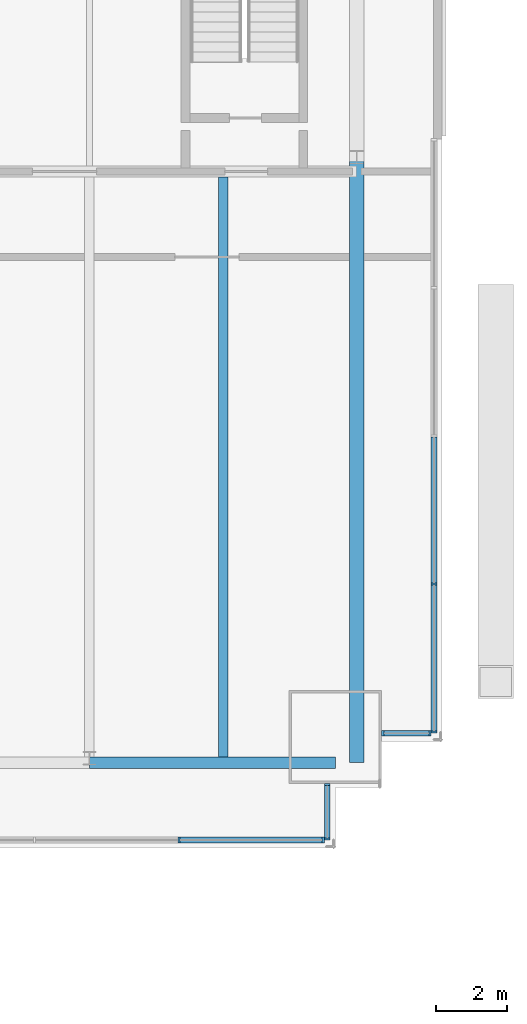
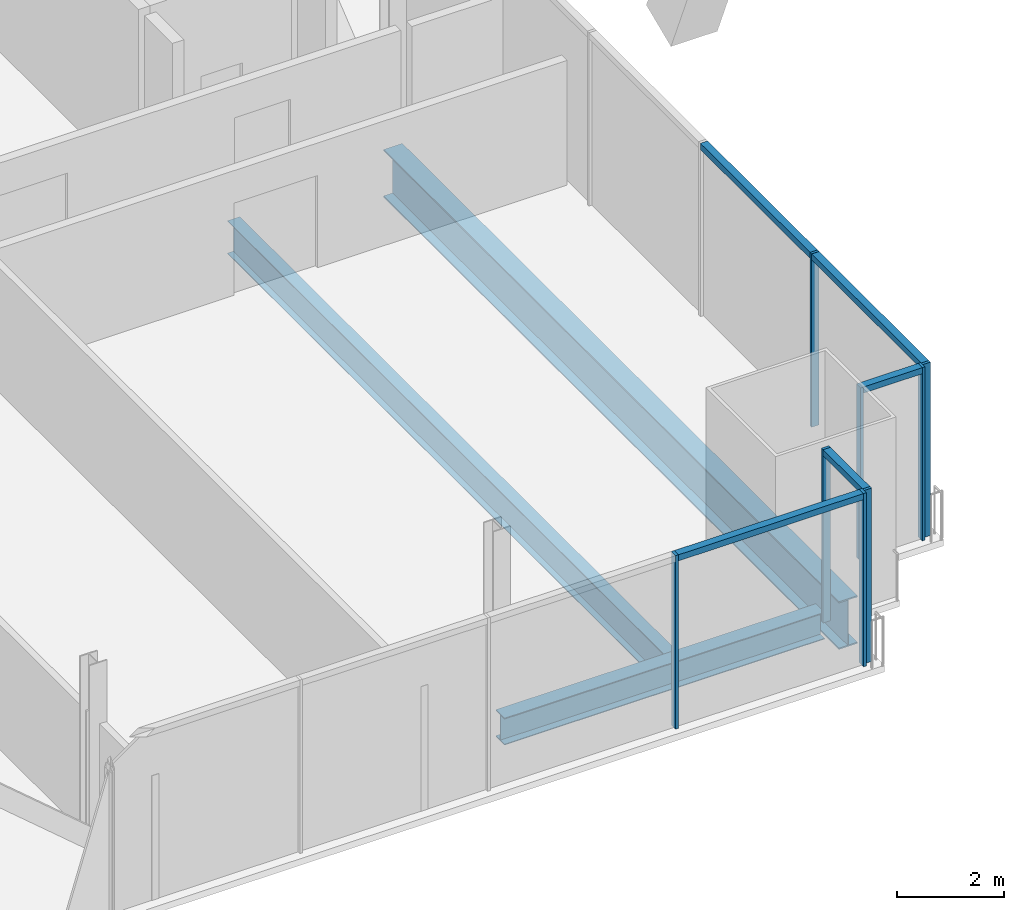
# One storey, part 14 of 24: 13 members, 3 beams, 4 elements without a shape of their own.
"""IFC4 building model written with IfcOpenShell, lengths in metres."""

from ifc_helpers import new_model, si_unit, direction, frame, origin, origin_2d, place, context, subcontext, project, spatial, rectangle, i_section, extrude, material, material_profile, profile_set, type_object, element, aggregate, save


model = new_model("IFC4")

# Units and contexts
model_context = context("Model", 3, precision=1e-05, world=origin(), true_north=direction((0.0, 1.0)))
body_context = subcontext(model_context, "Body", "Model", "MODEL_VIEW")
ifc_project = project(units=[si_unit("LENGTHUNIT", "METRE"), si_unit("AREAUNIT", "SQUARE_METRE"), si_unit("VOLUMEUNIT", "CUBIC_METRE"), si_unit("PLANEANGLEUNIT", "RADIAN"), si_unit("MASSUNIT", "GRAM", prefix="KILO")], contexts=[model_context])

# Site, building, storey
site_placement = place(None, origin())
site = spatial("IfcSite", under=ifc_project, at=site_placement, CompositionType="ELEMENT")
building_placement = place(site_placement, origin())
building = spatial("IfcBuilding", under=site, at=building_placement, Name="Bicima Exchange Tower", CompositionType="ELEMENT")
storey_placement = place(building_placement, frame((0.0, 0.0, 211.39990234375)))
storey = spatial("IfcBuildingStorey", under=building, at=storey_placement, Name="L47", CompositionType="ELEMENT", Elevation=211.39990234375)

# Curtain wall, members
ifc_material_1 = material(Name="Anodised bronze aluminium", Category="aluminium")
curtain_wall_type_1 = type_object("IfcCurtainWallType", Name="End face glass wall", PredefinedType="NOTDEFINED", material=ifc_material_1)
curtain_wall_1_placement = place(storey_placement, origin())
curtain_wall_1 = element("IfcCurtainWall", 1, at=curtain_wall_1_placement, inside=storey, type_object=curtain_wall_type_1, Name="End face glass wall L47 run 19", PredefinedType="NOTDEFINED")
ifc_material_profile_1 = material_profile(ifc_material_1, rectangle(XDim=0.159912109375, YDim=0.06005859375, at=origin_2d()))
ifc_profile_set_1 = profile_set([ifc_material_profile_1], Name="Anodised bronze aluminium")
member_type_1 = type_object("IfcMemberType", Name="End face glass wall mullion 60 x 160", PredefinedType="MULLION", material=ifc_profile_set_1)
member_1_placement = place(storey_placement, frame((35.77001953125, -28.736083984375, 0.0), z_axis=(0.0, 0.0, 1.0), x_axis=(-1.0, 0.0, 0.0)))
member_1 = element("IfcMember", 2, at=member_1_placement, type_object=member_type_1, Name="End face glass wall mullion 1", PredefinedType="MULLION", context=body_context, shape_type="SweptSolid", body=[
    extrude(rectangle(XDim=0.159912109375, YDim=0.06005859375, at=origin_2d()), origin(), (0.0, 0.0, 1.0), 3.9501953125),
])
member_2_placement = place(storey_placement, frame((35.77001953125, -24.57958984375, 0.0), z_axis=(0.0, 0.0, 1.0), x_axis=(-1.0, 0.0, 0.0)))
member_2 = element("IfcMember", 3, at=member_2_placement, type_object=member_type_1, Name="End face glass wall mullion 2", PredefinedType="MULLION", context=body_context, shape_type="SweptSolid", body=[
    extrude(rectangle(XDim=0.159912109375, YDim=0.06005859375, at=origin_2d()), origin(), (0.0, 0.0, 1.0), 3.9501953125),
])
ifc_material_profile_2 = material_profile(ifc_material_1, rectangle(XDim=0.159912109375, YDim=0.139892578125, at=origin_2d()))
ifc_profile_set_2 = profile_set([ifc_material_profile_2], Name="Anodised bronze aluminium")
member_type_2 = type_object("IfcMemberType", Name="End face glass wall transom 140 x 160", PredefinedType="USERDEFINED", material=ifc_profile_set_2)
member_3_placement = place(storey_placement, frame((35.77001953125, -28.7060546875, 3.880126953125), z_axis=(0.0, 1.0, 0.0), x_axis=(-1.0, 0.0, 0.0)))
member_3 = element("IfcMember", 4, at=member_3_placement, type_object=member_type_2, Name="End face glass wall transom 1.1", ObjectType="TRANSOM", PredefinedType="USERDEFINED", context=body_context, shape_type="SweptSolid", body=[
    extrude(rectangle(XDim=0.159912109375, YDim=0.139892578125, at=origin_2d()), origin(), (0.0, 0.0, 1.0), 4.096435546875),
])
member_4_placement = place(storey_placement, frame((35.77001953125, -24.549560546875, 3.880126953125), z_axis=(0.0, 1.0, 0.0), x_axis=(-1.0, 0.0, 0.0)))
member_4 = element("IfcMember", 5, at=member_4_placement, type_object=member_type_2, Name="End face glass wall transom 2.1", ObjectType="TRANSOM", PredefinedType="USERDEFINED", context=body_context, shape_type="SweptSolid", body=[
    extrude(rectangle(XDim=0.159912109375, YDim=0.139892578125, at=origin_2d()), origin(), (0.0, 0.0, 1.0), 4.0966796875),
])
aggregate(curtain_wall_1, [member_1, member_2, member_3, member_4])

# Beams
ifc_material_2 = material(Name="Steel ASTM A992 Gr 50", Category="steel")
ifc_material_profile_3 = material_profile(ifc_material_2, i_section(OverallWidth=0.4013671875, OverallDepth=1.089599609375, WebThickness=0.01806640625, FlangeThickness=0.031005859375, at=origin_2d()))
ifc_profile_set_3 = profile_set([ifc_material_profile_3], Name="Steel ASTM A992 Gr 50")
beam_type_1 = type_object("IfcBeamType", Name="End girder W44x230", PredefinedType="BEAM", material=ifc_profile_set_3)
beam_1_placement = place(storey_placement, frame((33.60009765625, -12.60009765625, -0.69482421875), z_axis=(0.0, -1.0, 0.0), x_axis=(1.0, 0.0, 0.0)))
element("IfcBeam", 6, at=beam_1_placement, inside=storey, type_object=beam_type_1, Name="End girder", PredefinedType="BEAM", context=body_context, shape_type="SweptSolid", body=[
    extrude(i_section(OverallWidth=0.4013671875, OverallDepth=1.089599609375, WebThickness=0.01806640625, FlangeThickness=0.031005859375, at=origin_2d()), origin(), (0.0, 0.0, 1.0), 16.995849609375),
])
ifc_material_profile_4 = material_profile(ifc_material_2, i_section(OverallWidth=0.2666015625, OverallDepth=0.75439453125, WebThickness=0.01318359375, FlangeThickness=0.01708984375, at=origin_2d()))
ifc_profile_set_4 = profile_set([ifc_material_profile_4], Name="Steel ASTM A992 Gr 50")
beam_type_2 = type_object("IfcBeamType", Name="Floor beam W30x99", PredefinedType="JOIST", material=ifc_profile_set_4)
beam_2_placement = place(storey_placement, frame((29.85009765625, -13.15234375, -0.527099609375), z_axis=(0.0, -1.0, 0.0), x_axis=(1.0, 0.0, 0.0)))
element("IfcBeam", 7, at=beam_2_placement, inside=storey, type_object=beam_type_2, Name="Floor beam", PredefinedType="JOIST", context=body_context, shape_type="SweptSolid", body=[
    extrude(i_section(OverallWidth=0.2666015625, OverallDepth=0.75439453125, WebThickness=0.01318359375, FlangeThickness=0.01708984375, at=origin_2d()), origin(), (0.0, 0.0, 1.0), 16.281005859375),
])
ifc_material_profile_5 = material_profile(ifc_material_2, i_section(OverallWidth=0.3251953125, OverallDepth=0.612060546875, WebThickness=0.0126953125, FlangeThickness=0.01904296875, at=origin_2d()))
ifc_profile_set_5 = profile_set([ifc_material_profile_5], Name="Steel ASTM A992 Gr 50")
beam_type_3 = type_object("IfcBeamType", Name="Front girder W24x104", PredefinedType="BEAM", material=ifc_profile_set_5)
beam_3_placement = place(storey_placement, frame((26.10009765625, -29.595947265625, -0.4560546875), z_axis=(1.0, 0.0, 0.0), x_axis=(0.0, 1.0, 0.0)))
element("IfcBeam", 8, at=beam_3_placement, inside=storey, type_object=beam_type_3, Name="Front girder", PredefinedType="BEAM", context=body_context, shape_type="SweptSolid", body=[
    extrude(i_section(OverallWidth=0.3251953125, OverallDepth=0.612060546875, WebThickness=0.0126953125, FlangeThickness=0.01904296875, at=origin_2d()), origin(), (0.0, 0.0, 1.0), 6.89990234375),
])

# Curtain wall, members
curtain_wall_type_2 = type_object("IfcCurtainWallType", Name="Front glass wall", PredefinedType="NOTDEFINED", material=ifc_material_1)
curtain_wall_2_placement = place(storey_placement, origin())
curtain_wall_2 = element("IfcCurtainWall", 9, at=curtain_wall_2_placement, inside=storey, type_object=curtain_wall_type_2, Name="Front glass wall L47 run 16", PredefinedType="NOTDEFINED")
member_type_3 = type_object("IfcMemberType", Name="Front glass wall mullion 60 x 160", PredefinedType="MULLION", material=ifc_profile_set_1)
member_5_placement = place(storey_placement, frame((28.610595703125, -31.76611328125, 0.0), z_axis=(0.0, 0.0, 1.0), x_axis=(0.0, 1.0, 0.0)))
member_5 = element("IfcMember", 10, at=member_5_placement, type_object=member_type_3, Name="Front glass wall mullion 4", PredefinedType="MULLION", context=body_context, shape_type="SweptSolid", body=[
    extrude(rectangle(XDim=0.159912109375, YDim=0.06005859375, at=origin_2d()), origin(), (0.0, 0.0, 1.0), 3.9501953125),
])
member_6_placement = place(storey_placement, frame((32.659912109375, -31.76611328125, 0.0), z_axis=(0.0, 0.0, 1.0), x_axis=(0.0, 1.0, 0.0)))
member_6 = element("IfcMember", 11, at=member_6_placement, type_object=member_type_3, Name="Front glass wall mullion 5", PredefinedType="MULLION", context=body_context, shape_type="SweptSolid", body=[
    extrude(rectangle(XDim=0.159912109375, YDim=0.06005859375, at=origin_2d()), origin(), (0.0, 0.0, 1.0), 3.9501953125),
])

curtain_wall_3_placement = place(storey_placement, origin())
curtain_wall_3 = element("IfcCurtainWall", 12, at=curtain_wall_3_placement, inside=storey, type_object=curtain_wall_type_2, Name="Front glass wall L47 run 17", PredefinedType="NOTDEFINED")
member_7_placement = place(storey_placement, frame((32.77001953125, -31.736083984375, 0.0), z_axis=(0.0, 0.0, 1.0), x_axis=(-1.0, 0.0, 0.0)))
member_7 = element("IfcMember", 13, at=member_7_placement, type_object=member_type_3, Name="Front glass wall mullion 1", PredefinedType="MULLION", context=body_context, shape_type="SweptSolid", body=[
    extrude(rectangle(XDim=0.159912109375, YDim=0.06005859375, at=origin_2d()), origin(), (0.0, 0.0, 1.0), 3.9501953125),
])
member_8_placement = place(storey_placement, frame((32.77001953125, -30.2041015625, 0.0), z_axis=(0.0, 0.0, 1.0), x_axis=(-1.0, 0.0, 0.0)))
member_8 = element("IfcMember", 14, at=member_8_placement, type_object=member_type_3, Name="Front glass wall mullion 2", PredefinedType="MULLION", context=body_context, shape_type="SweptSolid", body=[
    extrude(rectangle(XDim=0.159912109375, YDim=0.06005859375, at=origin_2d()), origin(), (0.0, 0.0, 1.0), 3.9501953125),
])

curtain_wall_4_placement = place(storey_placement, origin())
curtain_wall_4 = element("IfcCurtainWall", 15, at=curtain_wall_4_placement, inside=storey, type_object=curtain_wall_type_2, Name="Front glass wall L47 run 18", PredefinedType="NOTDEFINED")
member_9_placement = place(storey_placement, frame((34.330078125, -28.76611328125, 0.0), z_axis=(0.0, 0.0, 1.0), x_axis=(0.0, 1.0, 0.0)))
member_9 = element("IfcMember", 16, at=member_9_placement, type_object=member_type_3, Name="Front glass wall mullion 1", PredefinedType="MULLION", context=body_context, shape_type="SweptSolid", body=[
    extrude(rectangle(XDim=0.159912109375, YDim=0.06005859375, at=origin_2d()), origin(), (0.0, 0.0, 1.0), 3.9501953125),
])
member_10_placement = place(storey_placement, frame((35.659912109375, -28.76611328125, 0.0), z_axis=(0.0, 0.0, 1.0), x_axis=(0.0, 1.0, 0.0)))
member_10 = element("IfcMember", 17, at=member_10_placement, type_object=member_type_3, Name="Front glass wall mullion 2", PredefinedType="MULLION", context=body_context, shape_type="SweptSolid", body=[
    extrude(rectangle(XDim=0.159912109375, YDim=0.06005859375, at=origin_2d()), origin(), (0.0, 0.0, 1.0), 3.9501953125),
])

# Member
member_type_4 = type_object("IfcMemberType", Name="Front glass wall transom 140 x 160", PredefinedType="USERDEFINED", material=ifc_profile_set_2)
member_11_placement = place(storey_placement, frame((28.640380859375, -31.76611328125, 3.880126953125), z_axis=(1.0, 0.0, 0.0), x_axis=(0.0, 1.0, 0.0)))
member_11 = element("IfcMember", 18, at=member_11_placement, type_object=member_type_4, Name="Front glass wall transom 4.1", ObjectType="TRANSOM", PredefinedType="USERDEFINED", context=body_context, shape_type="SweptSolid", body=[
    extrude(rectangle(XDim=0.159912109375, YDim=0.139892578125, at=origin_2d()), origin(), (0.0, 0.0, 1.0), 3.989501953125),
])

aggregate(curtain_wall_2, [member_5, member_6, member_11])

member_12_placement = place(storey_placement, frame((32.77001953125, -31.7060546875, 3.880126953125), z_axis=(0.0, 1.0, 0.0), x_axis=(-1.0, 0.0, 0.0)))
member_12 = element("IfcMember", 19, at=member_12_placement, type_object=member_type_4, Name="Front glass wall transom 1.1", ObjectType="TRANSOM", PredefinedType="USERDEFINED", context=body_context, shape_type="SweptSolid", body=[
    extrude(rectangle(XDim=0.159912109375, YDim=0.139892578125, at=origin_2d()), origin(), (0.0, 0.0, 1.0), 1.47216796875),
])

aggregate(curtain_wall_3, [member_7, member_8, member_12])

member_13_placement = place(storey_placement, frame((34.360107421875, -28.76611328125, 3.880126953125), z_axis=(1.0, 0.0, 0.0), x_axis=(0.0, 1.0, 0.0)))
member_13 = element("IfcMember", 20, at=member_13_placement, type_object=member_type_4, Name="Front glass wall transom 1.1", ObjectType="TRANSOM", PredefinedType="USERDEFINED", context=body_context, shape_type="SweptSolid", body=[
    extrude(rectangle(XDim=0.159912109375, YDim=0.139892578125, at=origin_2d()), origin(), (0.0, 0.0, 1.0), 1.269775390625),
])

aggregate(curtain_wall_4, [member_9, member_10, member_13])

save(model, "model.ifc")
